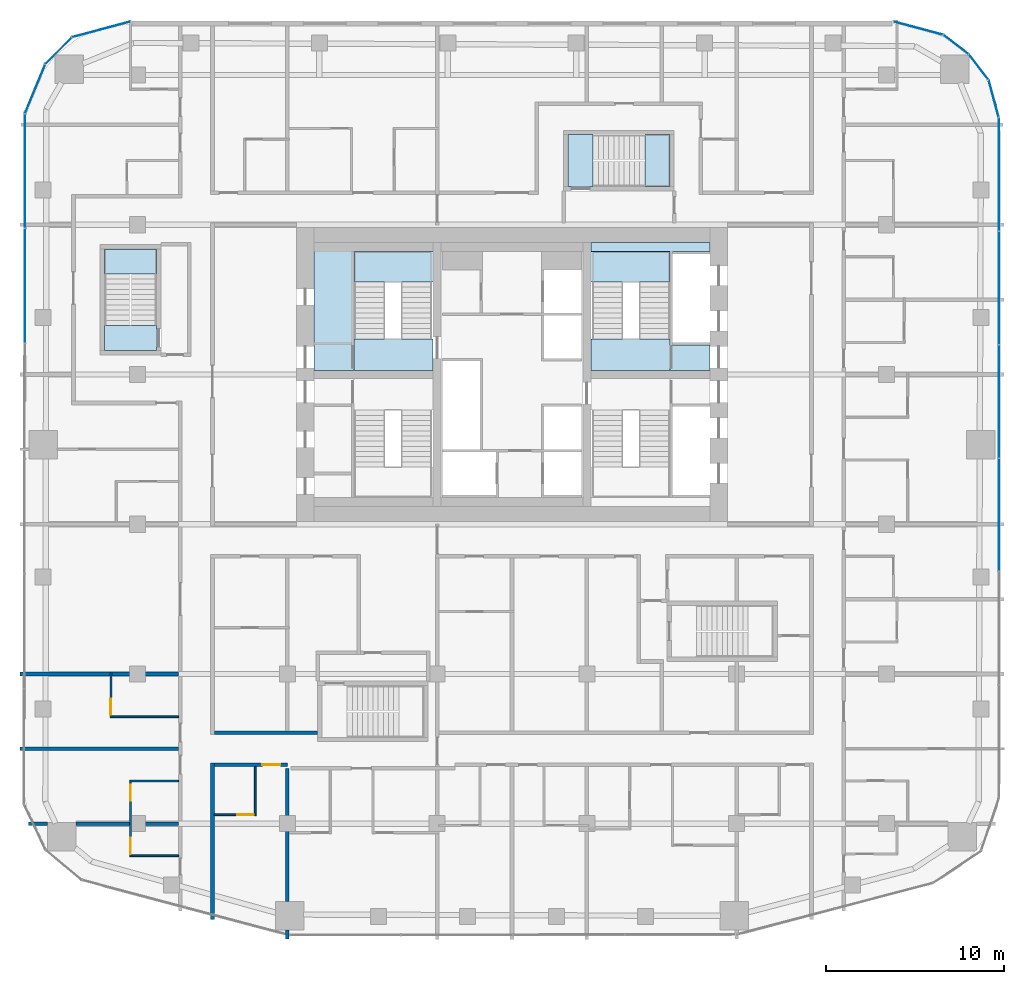
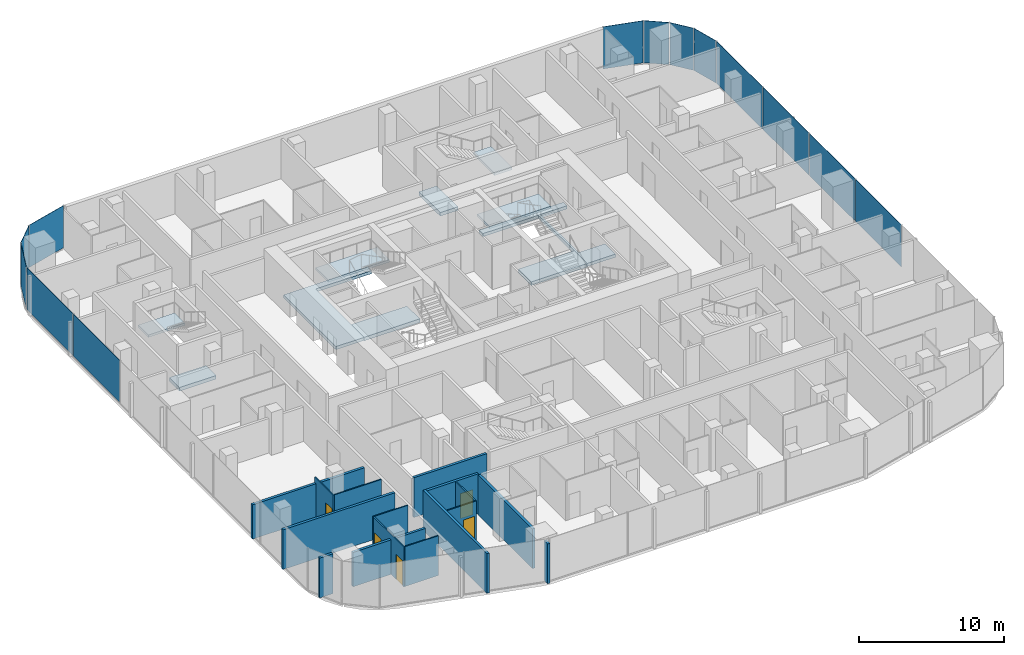
# One storey, part 13 of 23: 16 walls, 13 plates, 10 slabs, 5 doors, 5 openings, 13 elements without a shape of their own.
"""IFC4 building model written with IfcOpenShell, lengths in metres."""

from ifc_helpers import new_model, si_unit, direction, frame, frame_2d, origin, origin_2d, place, context, subcontext, project, spatial, polyline, rectangle, outline, extrude, material, layer, layer_set, type_object, element, fill, aggregate, save


model = new_model("IFC4")

# Units and contexts
model_context = context("Model", 3, precision=1e-05, world=origin(), true_north=direction((0.0, 1.0)))
body_context = subcontext(model_context, "Body", "Model", "MODEL_VIEW")
ifc_project = project(units=[si_unit("LENGTHUNIT", "METRE"), si_unit("AREAUNIT", "SQUARE_METRE"), si_unit("VOLUMEUNIT", "CUBIC_METRE"), si_unit("PLANEANGLEUNIT", "RADIAN"), si_unit("MASSUNIT", "GRAM", prefix="KILO")], contexts=[model_context])

# Site, building, storey
site_placement = place(None, origin())
site = spatial("IfcSite", under=ifc_project, at=site_placement, CompositionType="ELEMENT")
building_placement = place(site_placement, origin())
building = spatial("IfcBuilding", under=site, at=building_placement, Name="Marenta Gate Hotel Tower", CompositionType="ELEMENT")
storey_placement = place(building_placement, frame((0.0, 0.0, 126.5)))
storey = spatial("IfcBuildingStorey", under=building, at=storey_placement, Name="L28", CompositionType="ELEMENT", Elevation=126.5)

# Slabs
ifc_material_1 = material(Name="Concrete C40", Category="concrete")
ifc_layer_1 = layer(ifc_material_1, 0.260009765625)
ifc_layer_set_1 = layer_set([ifc_layer_1], Name="Concrete C40")
slab_type_1 = type_object("IfcSlabType", Name="Core floor slab 260", PredefinedType="FLOOR", material=ifc_layer_set_1)
slab_1_placement = place(storey_placement, frame((0.0, 0.0, -0.260009765625)))
element("IfcSlab", 1, at=slab_1_placement, inside=storey, type_object=slab_type_1, Name="L28-CF-3", PredefinedType="FLOOR", context=body_context, shape_type="SweptSolid", body=[
    extrude(outline(polyline([(8.85009765625, 15.300048828125), (4.425048828125, 15.300048828125), (4.425048828125, 15.800048828125), (11.10009765625, 15.800048828125), (11.10009765625, 15.300048828125), (9.0, 15.300048828125), (9.0, 15.14990234375), (9.0, 12.75), (9.0, 12.60009765625), (9.0, 10.199951171875), (9.0, 10.050048828125), (11.10009765625, 10.050048828125), (11.10009765625, 8.625), (8.85009765625, 8.625), (8.85009765625, 8.699951171875), (8.85009765625, 10.39990234375), (8.85009765625, 15.300048828125)])), origin(), (0.0, 0.0, 1.0), 0.260009765625),
])
slab_2_placement = place(storey_placement, frame((0.0, 0.0, -0.260009765625)))
element("IfcSlab", 2, at=slab_2_placement, inside=storey, type_object=slab_type_1, Name="L28-CF-6", PredefinedType="FLOOR", context=body_context, shape_type="SweptSolid", body=[
    extrude(outline(polyline([(-4.425048828125, 15.300048828125), (-8.85009765625, 15.300048828125), (-8.85009765625, 10.39990234375), (-8.85009765625, 8.699951171875), (-8.85009765625, 8.625), (-11.10009765625, 8.625), (-11.10009765625, 15.800048828125), (-4.425048828125, 15.800048828125), (-4.425048828125, 15.300048828125)])), origin(), (0.0, 0.0, 1.0), 0.260009765625),
])

# Stair, slab
ifc_material_2 = material(Name="Concrete C40", Category="concrete")
stair_type_1 = type_object("IfcStairType", Name="Core exit stair 1700 wide", PredefinedType="HALF_TURN_STAIR", material=ifc_material_2)
stair_1_placement = place(storey_placement, origin())
stair_1 = element("IfcStair", 3, at=stair_1_placement, inside=storey, type_object=stair_type_1, Name="Exit stair 2", PredefinedType="HALF_TURN_STAIR")
ifc_material_3 = material(Name="Concrete C40", Category="concrete")
ifc_layer_2 = layer(ifc_material_3, 0.199951171875)
ifc_layer_set_2 = layer_set([ifc_layer_2], Name="Concrete C40")
slab_type_2 = type_object("IfcSlabType", Name="Core stair landing 200", PredefinedType="LANDING", material=ifc_layer_set_2)
slab_3_placement = place(storey_placement, frame((0.0, 0.0, 1.60009765625)))
slab_3 = element("IfcSlab", 4, at=slab_3_placement, type_object=slab_type_2, Name="SL-200 ST2 landing 1", PredefinedType="LANDING", context=body_context, shape_type="SweptSolid", body=[
    extrude(outline(polyline([(-8.85009765625, 13.590087890625), (-3.97509765625, 13.590087890625), (-3.97509765625, 15.300048828125), (-8.85009765625, 15.300048828125), (-8.85009765625, 13.590087890625)])), origin(), (0.0, 0.0, 1.0), 0.199951171875),
])
aggregate(stair_1, [slab_3])

stair_2_placement = place(storey_placement, origin())
stair_2 = element("IfcStair", 5, at=stair_2_placement, inside=storey, type_object=stair_type_1, Name="Exit stair 4", PredefinedType="HALF_TURN_STAIR")
slab_4_placement = place(storey_placement, frame((0.0, 0.0, 1.60009765625)))
slab_4 = element("IfcSlab", 6, at=slab_4_placement, type_object=slab_type_2, Name="SL-200 ST4 landing 1", PredefinedType="LANDING", context=body_context, shape_type="SweptSolid", body=[
    extrude(outline(polyline([(3.97509765625, 13.590087890625), (8.85009765625, 13.590087890625), (8.85009765625, 15.300048828125), (3.97509765625, 15.300048828125), (3.97509765625, 13.590087890625)])), origin(), (0.0, 0.0, 1.0), 0.199951171875),
])
aggregate(stair_2, [slab_4])

# Curtain wall, plate
ifc_material_4 = material(Name="Tinted insulated glass in bronze anodised frame", Category="glass")
ifc_layer_3 = layer(ifc_material_4, 0.1201171875)
ifc_layer_set_3 = layer_set([ifc_layer_3], Name="Tinted insulated glass in bronze anodised frame")
curtain_wall_type = type_object("IfcCurtainWallType", Name="Tower unitised curtain wall CW1", PredefinedType="NOTDEFINED", material=ifc_layer_set_3)
curtain_wall_1_placement = place(storey_placement, origin())
curtain_wall_1 = element("IfcCurtainWall", 7, at=curtain_wall_1_placement, inside=storey, type_object=curtain_wall_type, Name="CW1 run G00", PredefinedType="NOTDEFINED")
ifc_material_5 = material(Name="Tinted insulated glass", Category="glass")
ifc_layer_4 = layer(ifc_material_5, 0.028076171875)
ifc_layer_set_4 = layer_set([ifc_layer_4], Name="Tinted insulated glass")
plate_type = type_object("IfcPlateType", Name="Glass panel CW1 28 mm tinted insulated unit", PredefinedType="CURTAIN_PANEL", material=ifc_layer_set_4)
plate_1_placement = place(storey_placement, frame((-23.04052734375, 27.759765625, 0.06005859375), z_axis=(0.0, 0.0, 1.0), x_axis=(-0.96593059835, -0.258801234873, 0.0)))
plate_1 = element("IfcPlate", 8, at=plate_1_placement, type_object=plate_type, Name="CW1 panel 1.1", PredefinedType="CURTAIN_PANEL", context=body_context, shape_type="SweptSolid", body=[
    extrude(rectangle(XDim=3.366943359375, YDim=0.028076171875, at=origin_2d()), origin(), (0.0, 0.0, 1.0), 3.5400390625),
])
aggregate(curtain_wall_1, [plate_1])

curtain_wall_2_placement = place(storey_placement, origin())
curtain_wall_2 = element("IfcCurtainWall", 9, at=curtain_wall_2_placement, inside=storey, type_object=curtain_wall_type, Name="CW1 run G01", PredefinedType="NOTDEFINED")
plate_2_placement = place(storey_placement, frame((-25.440673828125, 26.550048828125, 0.06005859375), z_axis=(0.0, 0.0, 1.0), x_axis=(-0.707106781187, -0.707106781187, 0.0)))
plate_2 = element("IfcPlate", 10, at=plate_2_placement, type_object=plate_type, Name="CW1 panel 1.1", PredefinedType="CURTAIN_PANEL", context=body_context, shape_type="SweptSolid", body=[
    extrude(rectangle(XDim=2.069091796875, YDim=0.028076171875, at=origin_2d()), origin(), (0.0, 0.0, 1.0), 3.5400390625),
])
aggregate(curtain_wall_2, [plate_2])

curtain_wall_3_placement = place(storey_placement, origin())
curtain_wall_3 = element("IfcCurtainWall", 11, at=curtain_wall_3_placement, inside=storey, type_object=curtain_wall_type, Name="CW1 run G02", PredefinedType="NOTDEFINED")
plate_3_placement = place(storey_placement, frame((-26.75390625, 24.41455078125, 0.06005859375), z_axis=(0.0, 0.0, 1.0), x_axis=(-0.382671975111, -0.923884278178, 0.0)))
plate_3 = element("IfcPlate", 12, at=plate_3_placement, type_object=plate_type, Name="CW1 panel 1.1", PredefinedType="CURTAIN_PANEL", context=body_context, shape_type="SweptSolid", body=[
    extrude(rectangle(XDim=2.919189453125, YDim=0.028076171875, at=origin_2d()), origin(), (0.0, 0.0, 1.0), 3.5400390625),
])
aggregate(curtain_wall_3, [plate_3])

# Curtain wall, plates
curtain_wall_4_placement = place(storey_placement, origin())
curtain_wall_4 = element("IfcCurtainWall", 13, at=curtain_wall_4_placement, inside=storey, type_object=curtain_wall_type, Name="CW1 run G03", PredefinedType="NOTDEFINED")
plate_4_placement = place(storey_placement, frame((-27.3173828125, 19.8212890625, 0.06005859375), z_axis=(0.0, 0.0, 1.0), x_axis=(-0.001566045546, -0.99999877375, 0.0)))
plate_4 = element("IfcPlate", 14, at=plate_4_placement, type_object=plate_type, Name="CW1 panel 1.1", PredefinedType="CURTAIN_PANEL", context=body_context, shape_type="SweptSolid", body=[
    extrude(rectangle(XDim=6.3701171875, YDim=0.028076171875, at=origin_2d()), origin(), (0.0, 0.0, 1.0), 3.5400390625),
])
plate_5_placement = place(storey_placement, frame((-27.327392578125, 13.376220703125, 0.06005859375), z_axis=(0.0, 0.0, 1.0), x_axis=(-0.001566045546, -0.99999877375, 0.0)))
plate_5 = element("IfcPlate", 15, at=plate_5_placement, type_object=plate_type, Name="CW1 panel 2.1", PredefinedType="CURTAIN_PANEL", context=body_context, shape_type="SweptSolid", body=[
    extrude(rectangle(XDim=6.39990234375, YDim=0.028076171875, at=origin_2d()), origin(), (0.0, 0.0, 1.0), 3.5400390625),
])
aggregate(curtain_wall_4, [plate_4, plate_5])

curtain_wall_5_placement = place(storey_placement, origin())
curtain_wall_5 = element("IfcCurtainWall", 16, at=curtain_wall_5_placement, inside=storey, type_object=curtain_wall_type, Name="CW1 run G11", PredefinedType="NOTDEFINED")
plate_6_placement = place(storey_placement, frame((27.31396484375, 0.531982421875, 0.06005859375), z_axis=(0.0, 0.0, 1.0), x_axis=(0.0, 1.0, 0.0)))
plate_6 = element("IfcPlate", 17, at=plate_6_placement, type_object=plate_type, Name="CW1 panel 3.1", PredefinedType="CURTAIN_PANEL", context=body_context, shape_type="SweptSolid", body=[
    extrude(rectangle(XDim=6.300048828125, YDim=0.028076171875, at=origin_2d()), origin(), (0.0, 0.0, 1.0), 3.5400390625),
])
plate_7_placement = place(storey_placement, frame((27.31396484375, 6.891845703125, 0.06005859375), z_axis=(0.0, 0.0, 1.0), x_axis=(0.0, 1.0, 0.0)))
plate_7 = element("IfcPlate", 18, at=plate_7_placement, type_object=plate_type, Name="CW1 panel 4.1", PredefinedType="CURTAIN_PANEL", context=body_context, shape_type="SweptSolid", body=[
    extrude(rectangle(XDim=6.300048828125, YDim=0.028076171875, at=origin_2d()), origin(), (0.0, 0.0, 1.0), 3.5400390625),
])
plate_8_placement = place(storey_placement, frame((27.31396484375, 13.251953125, 0.06005859375), z_axis=(0.0, 0.0, 1.0), x_axis=(0.0, 1.0, 0.0)))
plate_8 = element("IfcPlate", 19, at=plate_8_placement, type_object=plate_type, Name="CW1 panel 5.1", PredefinedType="CURTAIN_PANEL", context=body_context, shape_type="SweptSolid", body=[
    extrude(rectangle(XDim=6.300048828125, YDim=0.028076171875, at=origin_2d()), origin(), (0.0, 0.0, 1.0), 3.5400390625),
])
plate_9_placement = place(storey_placement, frame((27.31396484375, 19.626953125, 0.06005859375), z_axis=(0.0, 0.0, 1.0), x_axis=(0.0, 1.0, 0.0)))
plate_9 = element("IfcPlate", 20, at=plate_9_placement, type_object=plate_type, Name="CW1 panel 6.1", PredefinedType="CURTAIN_PANEL", context=body_context, shape_type="SweptSolid", body=[
    extrude(rectangle(XDim=6.330078125, YDim=0.028076171875, at=origin_2d()), origin(), (0.0, 0.0, 1.0), 3.5400390625),
])
aggregate(curtain_wall_5, [plate_6, plate_7, plate_8, plate_9])

# Curtain wall, plate
curtain_wall_6_placement = place(storey_placement, origin())
curtain_wall_6 = element("IfcCurtainWall", 21, at=curtain_wall_6_placement, inside=storey, type_object=curtain_wall_type, Name="CW1 run G12", PredefinedType="NOTDEFINED")
plate_10_placement = place(storey_placement, frame((27.022216796875, 23.880615234375, 0.06005859375), z_axis=(0.0, 0.0, 1.0), x_axis=(-0.258822651658, 0.965924859908, 0.0)))
plate_10 = element("IfcPlate", 22, at=plate_10_placement, type_object=plate_type, Name="CW1 panel 1.1", PredefinedType="CURTAIN_PANEL", context=body_context, shape_type="SweptSolid", body=[
    extrude(rectangle(XDim=2.13427734375, YDim=0.028076171875, at=origin_2d()), origin(), (0.0, 0.0, 1.0), 3.5400390625),
])
aggregate(curtain_wall_6, [plate_10])

curtain_wall_7_placement = place(storey_placement, origin())
curtain_wall_7 = element("IfcCurtainWall", 23, at=curtain_wall_7_placement, inside=storey, type_object=curtain_wall_type, Name="CW1 run G13", PredefinedType="NOTDEFINED")
plate_11_placement = place(storey_placement, frame((26.177490234375, 25.652099609375, 0.06005859375), z_axis=(0.0, 0.0, 1.0), x_axis=(-0.608796116694, 0.793326722289, 0.0)))
plate_11 = element("IfcPlate", 24, at=plate_11_placement, type_object=plate_type, Name="CW1 panel 1.1", PredefinedType="CURTAIN_PANEL", context=body_context, shape_type="SweptSolid", body=[
    extrude(rectangle(XDim=1.747802734375, YDim=0.028076171875, at=origin_2d()), origin(), (0.0, 0.0, 1.0), 3.5400390625),
])
aggregate(curtain_wall_7, [plate_11])

curtain_wall_8_placement = place(storey_placement, origin())
curtain_wall_8 = element("IfcCurtainWall", 25, at=curtain_wall_8_placement, inside=storey, type_object=curtain_wall_type, Name="CW1 run G14", PredefinedType="NOTDEFINED")
plate_12_placement = place(storey_placement, frame((24.904541015625, 26.9140625, 0.06005859375), z_axis=(0.0, 0.0, 1.0), x_axis=(-0.793326722289, 0.608796116694, 0.0)))
plate_12 = element("IfcPlate", 26, at=plate_12_placement, type_object=plate_type, Name="CW1 panel 1.1", PredefinedType="CURTAIN_PANEL", context=body_context, shape_type="SweptSolid", body=[
    extrude(rectangle(XDim=1.747802734375, YDim=0.028076171875, at=origin_2d()), origin(), (0.0, 0.0, 1.0), 3.5400390625),
])
aggregate(curtain_wall_8, [plate_12])

curtain_wall_9_placement = place(storey_placement, origin())
curtain_wall_9 = element("IfcCurtainWall", 27, at=curtain_wall_9_placement, inside=storey, type_object=curtain_wall_type, Name="CW1 run G15", PredefinedType="NOTDEFINED")
plate_13_placement = place(storey_placement, frame((22.783935546875, 27.82861328125, 0.06005859375), z_axis=(0.0, 0.0, 1.0), x_axis=(-0.965929324305, 0.258805989975, 0.0)))
plate_13 = element("IfcPlate", 28, at=plate_13_placement, type_object=plate_type, Name="CW1 panel 1.1", PredefinedType="CURTAIN_PANEL", context=body_context, shape_type="SweptSolid", body=[
    extrude(rectangle(XDim=2.83544921875, YDim=0.028076171875, at=origin_2d()), origin(), (0.0, 0.0, 1.0), 3.5400390625),
])
aggregate(curtain_wall_9, [plate_13])

# Stair, slab
ifc_material_6 = material(Name="Concrete C40", Category="concrete")
stair_type_2 = type_object("IfcStairType", Name="Remote exit stair 1400 wide", PredefinedType="HALF_TURN_STAIR", material=ifc_material_6)
stair_3_placement = place(storey_placement, origin())
stair_3 = element("IfcStair", 29, at=stair_3_placement, inside=storey, type_object=stair_type_2, Name="Exit stair RS-Z1-3", PredefinedType="HALF_TURN_STAIR")
ifc_material_7 = material(Name="Concrete C40", Category="concrete")
ifc_layer_5 = layer(ifc_material_7, 0.199951171875)
ifc_layer_set_5 = layer_set([ifc_layer_5], Name="Concrete C40")
slab_type_3 = type_object("IfcSlabType", Name="Remote stair landing 200", PredefinedType="LANDING", material=ifc_layer_set_5)
slab_5_placement = place(storey_placement, frame((0.0, 0.0, 1.60009765625)))
slab_5 = element("IfcSlab", 30, at=slab_5_placement, type_object=slab_type_3, Name="RL-200 RS-Z1-3 landing 1", PredefinedType="LANDING", context=body_context, shape_type="SweptSolid", body=[
    extrude(outline(polyline([(-22.85009765625, 14.050048828125), (-19.949951171875, 14.050048828125), (-19.949951171875, 15.449951171875), (-22.85009765625, 15.449951171875), (-22.85009765625, 14.050048828125)])), origin(), (0.0, 0.0, 1.0), 0.199951171875),
])
aggregate(stair_3, [slab_5])

stair_4_placement = place(storey_placement, origin())
stair_4 = element("IfcStair", 31, at=stair_4_placement, inside=storey, type_object=stair_type_2, Name="Exit stair RS-Z2-4", PredefinedType="HALF_TURN_STAIR")
slab_6_placement = place(storey_placement, frame((0.0, 0.0, 1.60009765625)))
slab_6 = element("IfcSlab", 32, at=slab_6_placement, type_object=slab_type_3, Name="RL-200 RS-Z2-4 landing 1", PredefinedType="LANDING", context=body_context, shape_type="SweptSolid", body=[
    extrude(outline(polyline([(7.449951171875, 18.949951171875), (8.85009765625, 18.949951171875), (8.85009765625, 21.85009765625), (7.449951171875, 21.85009765625), (7.449951171875, 18.949951171875)])), origin(), (0.0, 0.0, 1.0), 0.199951171875),
])
aggregate(stair_4, [slab_6])

# Slabs
ifc_material_8 = material(Name="Concrete C40", Category="concrete")
ifc_layer_6 = layer(ifc_material_8, 0.300048828125)
ifc_layer_set_6 = layer_set([ifc_layer_6], Name="Concrete C40")
slab_type_4 = type_object("IfcSlabType", Name="Stair floor landing slab 300", PredefinedType="FLOOR", material=ifc_layer_set_6)
slab_7_placement = place(storey_placement, frame((0.0, 0.0, -0.300048828125)))
element("IfcSlab", 33, at=slab_7_placement, inside=storey, type_object=slab_type_4, Name="L28-CL-ST2-1", PredefinedType="FLOOR", context=body_context, shape_type="SweptSolid", body=[
    extrude(outline(polyline([(-4.425048828125, 8.625), (-8.85009765625, 8.625), (-8.85009765625, 8.699951171875), (-8.85009765625, 10.39990234375), (-4.425048828125, 10.39990234375), (-4.425048828125, 8.625)])), origin(), (0.0, 0.0, 1.0), 0.300048828125),
])
slab_8_placement = place(storey_placement, frame((0.0, 0.0, -0.300048828125)))
element("IfcSlab", 34, at=slab_8_placement, inside=storey, type_object=slab_type_4, Name="L28-CL-ST4-1", PredefinedType="FLOOR", context=body_context, shape_type="SweptSolid", body=[
    extrude(outline(polyline([(4.425048828125, 8.625), (4.425048828125, 10.39990234375), (8.85009765625, 10.39990234375), (8.85009765625, 8.699951171875), (8.85009765625, 8.625), (4.425048828125, 8.625)])), origin(), (0.0, 0.0, 1.0), 0.300048828125),
])
slab_9_placement = place(storey_placement, frame((0.0, 0.0, -0.300048828125)))
element("IfcSlab", 35, at=slab_9_placement, inside=storey, type_object=slab_type_4, Name="L28-RS-Z1-3-CL", PredefinedType="FLOOR", context=body_context, shape_type="SweptSolid", body=[
    extrude(outline(polyline([(-19.949951171875, 9.75), (-19.949951171875, 11.14990234375), (-22.85009765625, 11.14990234375), (-22.85009765625, 9.75), (-19.949951171875, 9.75)])), origin(), (0.0, 0.0, 1.0), 0.300048828125),
])
slab_10_placement = place(storey_placement, frame((0.0, 0.0, -0.300048828125)))
element("IfcSlab", 36, at=slab_10_placement, inside=storey, type_object=slab_type_4, Name="L28-RS-Z2-4-CL", PredefinedType="FLOOR", context=body_context, shape_type="SweptSolid", body=[
    extrude(outline(polyline([(4.550048828125, 18.949951171875), (4.550048828125, 21.85009765625), (3.14990234375, 21.85009765625), (3.14990234375, 18.949951171875), (4.550048828125, 18.949951171875)])), origin(), (0.0, 0.0, 1.0), 0.300048828125),
])

# Wall, opening, door
ifc_material_9 = material(Name="Gypsum board on steel stud", Category="steel")
ifc_layer_7 = layer(ifc_material_9, 0.199951171875)
ifc_layer_set_7 = layer_set([ifc_layer_7], Name="Gypsum board on steel stud")
wall_type_1 = type_object("IfcWallType", Name="Room corridor wall 200 EI 60", PredefinedType="PARTITIONING", material=ifc_layer_set_7)
wall_1_placement = place(storey_placement, frame((-16.699951171875, -13.5, 0.0), z_axis=(0.0, 0.0, 1.0), x_axis=(1.0, 0.0, 0.0)))
wall_1 = element("IfcWall", 37, at=wall_1_placement, inside=storey, type_object=wall_type_1, Name="L28-PTN-W031", PredefinedType="PARTITIONING", context=body_context, shape_type="SweptSolid", body=[
    extrude(rectangle(XDim=4.099853515625, YDim=0.199951171875, at=frame_2d((2.0498046875, 0.0))), origin(), (0.0, 0.0, 1.0), 3.340087890625),
])
opening_1_placement = place(wall_1_placement, frame((2.699951171875, 0.0, 0.0)))
opening_1 = element("IfcOpeningElement", 38, at=opening_1_placement, cuts=wall_1, Name="Opening G10-40", PredefinedType="OPENING", context=body_context, shape_type="SweptSolid", body=[
    extrude(rectangle(XDim=1.0, YDim=2.10009765625, at=frame_2d((0.5, 1.050048828125))), frame((0.0, 0.10009765625, 0.0), z_axis=(0.0, -1.0, 0.0), x_axis=(1.0, 0.0, 0.0)), (0.0, 0.0, 1.0), 0.199951171875),
])
ifc_material_10 = material(Name="Timber door leaf", Category="wood")
door_type_1 = type_object("IfcDoorType", Name="Guest room door 1000x2100 EI 30", OperationType="NOTDEFINED", PredefinedType="DOOR", material=ifc_material_10)
door_1_placement = place(opening_1_placement, origin())
door_1 = element("IfcDoor", 39, at=door_1_placement, inside=storey, type_object=door_type_1, Name="L28-PD-D040", OperationType="SINGLE_SWING_RIGHT", OverallHeight=2.10009765625, OverallWidth=1.0, PredefinedType="DOOR", context=body_context, shape_type="SweptSolid", body=[
    extrude(rectangle(XDim=1.0, YDim=2.10009765625, at=frame_2d((0.5, 1.050048828125))), frame((0.0, 0.02490234375, 0.0), z_axis=(0.0, -1.0, 0.0), x_axis=(1.0, 0.0, 0.0)), (0.0, 0.0, 1.0), 0.050048828125),
])
fill(opening_1, door_1)

# Walls
wall_2_placement = place(storey_placement, frame((-16.699951171875, -11.699951171875, 0.0), z_axis=(0.0, 0.0, 1.0), x_axis=(1.0, 0.0, 0.0)))
element("IfcWall", 40, at=wall_2_placement, inside=storey, type_object=wall_type_1, Name="L28-PTN-W039", PredefinedType="PARTITIONING", context=body_context, shape_type="SweptSolid", body=[
    extrude(rectangle(XDim=5.800048828125, YDim=0.199951171875, at=frame_2d((2.89990234375, 0.0))), origin(), (0.0, 0.0, 1.0), 3.340087890625),
])
wall_3_placement = place(storey_placement, frame((-16.800048828125, -22.18603515625, 0.0), z_axis=(0.0, 0.0, 1.0), x_axis=(0.0, 1.0, 0.0)))
element("IfcWall", 41, at=wall_3_placement, inside=storey, type_object=wall_type_1, Name="L28-PTN-W104", PredefinedType="PARTITIONING", context=body_context, shape_type="SweptSolid", body=[
    extrude(rectangle(XDim=8.7861328125, YDim=0.199951171875, at=frame_2d((4.39306640625, 0.0))), origin(), (0.0, 0.0, 1.0), 3.340087890625),
])
ifc_material_11 = material(Name="Gypsum board on steel stud", Category="steel")
ifc_layer_8 = layer(ifc_material_11, 0.10009765625)
ifc_layer_set_8 = layer_set([ifc_layer_8], Name="Gypsum board on steel stud")
wall_type_2 = type_object("IfcWallType", Name="Room partition 100", PredefinedType="PARTITIONING", material=ifc_layer_set_8)
wall_4_placement = place(storey_placement, frame((-21.35009765625, -18.60009765625, 0.0), z_axis=(0.0, 0.0, 1.0), x_axis=(1.0, 0.0, 0.0)))
element("IfcWall", 42, at=wall_4_placement, inside=storey, type_object=wall_type_2, Name="L28-PTN-W012", PredefinedType="PARTITIONING", context=body_context, shape_type="SweptSolid", body=[
    extrude(rectangle(XDim=2.650146484375, YDim=0.10009765625, at=frame_2d((1.3251953125, 0.0))), origin(), (0.0, 0.0, 1.0), 3.340087890625),
])

# Wall, opening, door
wall_5_placement = place(storey_placement, frame((-16.699951171875, -16.300048828125, 0.0), z_axis=(0.0, 0.0, 1.0), x_axis=(1.0, 0.0, 0.0)))
wall_5 = element("IfcWall", 43, at=wall_5_placement, inside=storey, type_object=wall_type_2, Name="L28-PTN-W025", PredefinedType="PARTITIONING", context=body_context, shape_type="SweptSolid", body=[
    extrude(rectangle(XDim=2.349853515625, YDim=0.10009765625, at=frame_2d((1.1748046875, 0.0))), origin(), (0.0, 0.0, 1.0), 3.340087890625),
])
opening_2_placement = place(wall_5_placement, frame((1.300048828125, 0.0, 0.0)))
opening_2 = element("IfcOpeningElement", 44, at=opening_2_placement, cuts=wall_5, Name="Opening G10-41", PredefinedType="OPENING", context=body_context, shape_type="SweptSolid", body=[
    extrude(rectangle(XDim=0.89990234375, YDim=2.10009765625, at=frame_2d((0.449951171875, 1.050048828125))), frame((0.0, 0.050048828125, 0.0), z_axis=(0.0, -1.0, 0.0), x_axis=(1.0, 0.0, 0.0)), (0.0, 0.0, 1.0), 0.10009765625),
])
ifc_material_12 = material(Name="Timber door leaf", Category="wood")
door_type_2 = type_object("IfcDoorType", Name="Guest bathroom door 900x2100", OperationType="NOTDEFINED", PredefinedType="DOOR", material=ifc_material_12)
door_2_placement = place(opening_2_placement, origin())
door_2 = element("IfcDoor", 45, at=door_2_placement, inside=storey, type_object=door_type_2, Name="L28-PD-D041", OperationType="SINGLE_SWING_RIGHT", OverallHeight=2.10009765625, OverallWidth=0.89990234375, PredefinedType="DOOR", context=body_context, shape_type="SweptSolid", body=[
    extrude(rectangle(XDim=0.89990234375, YDim=2.10009765625, at=frame_2d((0.449951171875, 1.050048828125))), frame((0.0, 0.02490234375, 0.0), z_axis=(0.0, -1.0, 0.0), x_axis=(1.0, 0.0, 0.0)), (0.0, 0.0, 1.0), 0.050048828125),
])
fill(opening_2, door_2)

# Walls
wall_6_placement = place(storey_placement, frame((-21.449951171875, -14.39990234375, 0.0), z_axis=(0.0, 0.0, 1.0), x_axis=(1.0, 0.0, 0.0)))
element("IfcWall", 46, at=wall_6_placement, inside=storey, type_object=wall_type_2, Name="L28-PTN-W028", PredefinedType="PARTITIONING", context=body_context, shape_type="SweptSolid", body=[
    extrude(rectangle(XDim=2.75, YDim=0.10009765625, at=frame_2d((1.375, 0.0))), origin(), (0.0, 0.0, 1.0), 3.340087890625),
])
wall_7_placement = place(storey_placement, frame((-22.449951171875, -10.800048828125, 0.0), z_axis=(0.0, 0.0, 1.0), x_axis=(1.0, 0.0, 0.0)))
element("IfcWall", 47, at=wall_7_placement, inside=storey, type_object=wall_type_2, Name="L28-PTN-W041", PredefinedType="PARTITIONING", context=body_context, shape_type="SweptSolid", body=[
    extrude(rectangle(XDim=3.75, YDim=0.10009765625, at=frame_2d((1.875, 0.0))), origin(), (0.0, 0.0, 1.0), 3.340087890625),
])
wall_8_placement = place(storey_placement, frame((-14.39990234375, -16.25, 0.0), z_axis=(0.0, 0.0, 1.0), x_axis=(0.0, 1.0, 0.0)))
element("IfcWall", 48, at=wall_8_placement, inside=storey, type_object=wall_type_2, Name="L28-PTN-W100", PredefinedType="PARTITIONING", context=body_context, shape_type="SweptSolid", body=[
    extrude(rectangle(XDim=2.64990234375, YDim=0.10009765625, at=frame_2d((1.324951171875, 0.0))), origin(), (0.0, 0.0, 1.0), 3.340087890625),
])

# Wall, openings, doors
wall_9_placement = place(storey_placement, frame((-21.39990234375, -18.64990234375, 0.0), z_axis=(0.0, 0.0, 1.0), x_axis=(0.0, 1.0, 0.0)))
wall_9 = element("IfcWall", 49, at=wall_9_placement, inside=storey, type_object=wall_type_2, Name="L28-PTN-W117", PredefinedType="PARTITIONING", context=body_context, shape_type="SweptSolid", body=[
    extrude(rectangle(XDim=4.199951171875, YDim=0.10009765625, at=frame_2d((2.10009765625, 0.0))), origin(), (0.0, 0.0, 1.0), 3.340087890625),
])
opening_3_placement = place(wall_9_placement, frame((0.14990234375, 0.0, 0.0)))
opening_3 = element("IfcOpeningElement", 50, at=opening_3_placement, cuts=wall_9, Name="Opening G10-55", PredefinedType="OPENING", context=body_context, shape_type="SweptSolid", body=[
    extrude(rectangle(XDim=0.89990234375, YDim=2.10009765625, at=frame_2d((0.449951171875, 1.050048828125))), frame((0.0, 0.050048828125, 0.0), z_axis=(0.0, -1.0, 0.0), x_axis=(1.0, 0.0, 0.0)), (0.0, 0.0, 1.0), 0.10009765625),
])
opening_4_placement = place(wall_9_placement, frame((3.14990234375, 0.0, 0.0)))
opening_4 = element("IfcOpeningElement", 51, at=opening_4_placement, cuts=wall_9, Name="Opening G10-57", PredefinedType="OPENING", context=body_context, shape_type="SweptSolid", body=[
    extrude(rectangle(XDim=0.89990234375, YDim=2.10009765625, at=frame_2d((0.449951171875, 1.050048828125))), frame((0.0, 0.050048828125, 0.0), z_axis=(0.0, -1.0, 0.0), x_axis=(1.0, 0.0, 0.0)), (0.0, 0.0, 1.0), 0.10009765625),
])
door_3_placement = place(opening_3_placement, origin())
door_3 = element("IfcDoor", 52, at=door_3_placement, inside=storey, type_object=door_type_2, Name="L28-PD-D055", OperationType="SINGLE_SWING_RIGHT", OverallHeight=2.10009765625, OverallWidth=0.89990234375, PredefinedType="DOOR", context=body_context, shape_type="SweptSolid", body=[
    extrude(rectangle(XDim=0.89990234375, YDim=2.10009765625, at=frame_2d((0.449951171875, 1.050048828125))), frame((0.0, 0.02490234375, 0.0), z_axis=(0.0, -1.0, 0.0), x_axis=(1.0, 0.0, 0.0)), (0.0, 0.0, 1.0), 0.050048828125),
])
fill(opening_3, door_3)
door_4_placement = place(opening_4_placement, origin())
door_4 = element("IfcDoor", 53, at=door_4_placement, inside=storey, type_object=door_type_2, Name="L28-PD-D057", OperationType="SINGLE_SWING_LEFT", OverallHeight=2.10009765625, OverallWidth=0.89990234375, PredefinedType="DOOR", context=body_context, shape_type="SweptSolid", body=[
    extrude(rectangle(XDim=0.89990234375, YDim=2.10009765625, at=frame_2d((0.449951171875, 1.050048828125))), frame((0.0, 0.02490234375, 0.0), z_axis=(0.0, -1.0, 0.0), x_axis=(1.0, 0.0, 0.0)), (0.0, 0.0, 1.0), 0.050048828125),
])
fill(opening_4, door_4)

# Wall, opening, door
wall_10_placement = place(storey_placement, frame((-22.5, -10.85009765625, 0.0), z_axis=(0.0, 0.0, 1.0), x_axis=(0.0, 1.0, 0.0)))
wall_10 = element("IfcWall", 54, at=wall_10_placement, inside=storey, type_object=wall_type_2, Name="L28-PTN-W127", PredefinedType="PARTITIONING", context=body_context, shape_type="SweptSolid", body=[
    extrude(rectangle(XDim=2.550048828125, YDim=0.10009765625, at=frame_2d((1.27490234375, 0.0))), origin(), (0.0, 0.0, 1.0), 3.340087890625),
])
opening_5_placement = place(wall_10_placement, frame((0.14990234375, 0.0, 0.0)))
opening_5 = element("IfcOpeningElement", 55, at=opening_5_placement, cuts=wall_10, Name="Opening G10-59", PredefinedType="OPENING", context=body_context, shape_type="SweptSolid", body=[
    extrude(rectangle(XDim=0.89990234375, YDim=2.10009765625, at=frame_2d((0.449951171875, 1.050048828125))), frame((0.0, 0.050048828125, 0.0), z_axis=(0.0, -1.0, 0.0), x_axis=(1.0, 0.0, 0.0)), (0.0, 0.0, 1.0), 0.10009765625),
])
door_5_placement = place(opening_5_placement, origin())
door_5 = element("IfcDoor", 56, at=door_5_placement, inside=storey, type_object=door_type_2, Name="L28-PD-D059", OperationType="SINGLE_SWING_RIGHT", OverallHeight=2.10009765625, OverallWidth=0.89990234375, PredefinedType="DOOR", context=body_context, shape_type="SweptSolid", body=[
    extrude(rectangle(XDim=0.89990234375, YDim=2.10009765625, at=frame_2d((0.449951171875, 1.050048828125))), frame((0.0, 0.02490234375, 0.0), z_axis=(0.0, -1.0, 0.0), x_axis=(1.0, 0.0, 0.0)), (0.0, 0.0, 1.0), 0.050048828125),
])
fill(opening_5, door_5)

# Walls
ifc_material_13 = material(Name="Gypsum board on steel stud", Category="steel")
ifc_layer_9 = layer(ifc_material_13, 0.199951171875)
ifc_layer_set_9 = layer_set([ifc_layer_9], Name="Gypsum board on steel stud")
wall_type_3 = type_object("IfcWallType", Name="Room party wall 200 EI 60", PredefinedType="PARTITIONING", material=ifc_layer_set_9)
wall_11_placement = place(storey_placement, frame((-27.112060546875, -16.800048828125, 0.0), z_axis=(0.0, 0.0, 1.0), x_axis=(1.0, 0.0, 0.0)))
element("IfcWall", 57, at=wall_11_placement, inside=storey, type_object=wall_type_3, Name="L28-PTN-W023", PredefinedType="PARTITIONING", context=body_context, shape_type="SweptSolid", body=[
    extrude(rectangle(XDim=1.049072265625, YDim=0.199951171875, at=frame_2d((0.5244140625, 0.0))), origin(), (0.0, 0.0, 1.0), 3.340087890625),
])
wall_12_placement = place(storey_placement, frame((-24.462890625, -16.800048828125, 0.0), z_axis=(0.0, 0.0, 1.0), x_axis=(1.0, 0.0, 0.0)))
element("IfcWall", 58, at=wall_12_placement, inside=storey, type_object=wall_type_3, Name="L28-PTN-W132", PredefinedType="PARTITIONING", context=body_context, shape_type="SweptSolid", body=[
    extrude(rectangle(XDim=5.762939453125, YDim=0.199951171875, at=frame_2d((2.88134765625, 0.0))), origin(), (0.0, 0.0, 1.0), 2.889892578125),
])
wall_13_placement = place(storey_placement, frame((-27.60009765625, -12.60009765625, 0.0), z_axis=(0.0, 0.0, 1.0), x_axis=(1.0, 0.0, 0.0)))
element("IfcWall", 59, at=wall_13_placement, inside=storey, type_object=wall_type_3, Name="L28-PTN-W037", PredefinedType="PARTITIONING", context=body_context, shape_type="SweptSolid", body=[
    extrude(rectangle(XDim=8.900146484375, YDim=0.199951171875, at=frame_2d((4.4501953125, 0.0))), origin(), (0.0, 0.0, 1.0), 3.340087890625),
])
wall_14_placement = place(storey_placement, frame((-27.60009765625, -8.39990234375, 0.0), z_axis=(0.0, 0.0, 1.0), x_axis=(1.0, 0.0, 0.0)))
element("IfcWall", 60, at=wall_14_placement, inside=storey, type_object=wall_type_3, Name="L28-PTN-W048", PredefinedType="PARTITIONING", context=body_context, shape_type="SweptSolid", body=[
    extrude(rectangle(XDim=8.900146484375, YDim=0.199951171875, at=frame_2d((4.4501953125, 0.0))), origin(), (0.0, 0.0, 1.0), 2.889892578125),
])
wall_15_placement = place(storey_placement, frame((-12.60009765625, -23.26611328125, 0.0), z_axis=(0.0, 0.0, 1.0), x_axis=(0.0, 1.0, 0.0)))
element("IfcWall", 61, at=wall_15_placement, inside=storey, type_object=wall_type_3, Name="L28-PTN-W096", PredefinedType="PARTITIONING", context=body_context, shape_type="SweptSolid", body=[
    extrude(rectangle(XDim=0.4912109375, YDim=0.199951171875, at=frame_2d((0.24560546875, 0.0))), origin(), (0.0, 0.0, 1.0), 3.340087890625),
])
wall_16_placement = place(storey_placement, frame((-12.60009765625, -21.175048828125, 0.0), z_axis=(0.0, 0.0, 1.0), x_axis=(0.0, 1.0, 0.0)))
element("IfcWall", 62, at=wall_16_placement, inside=storey, type_object=wall_type_3, Name="L28-PTN-W136", PredefinedType="PARTITIONING", context=body_context, shape_type="SweptSolid", body=[
    extrude(rectangle(XDim=7.47509765625, YDim=0.199951171875, at=frame_2d((3.737548828125, 0.0))), origin(), (0.0, 0.0, 1.0), 3.340087890625),
])

save(model, "model.ifc")
